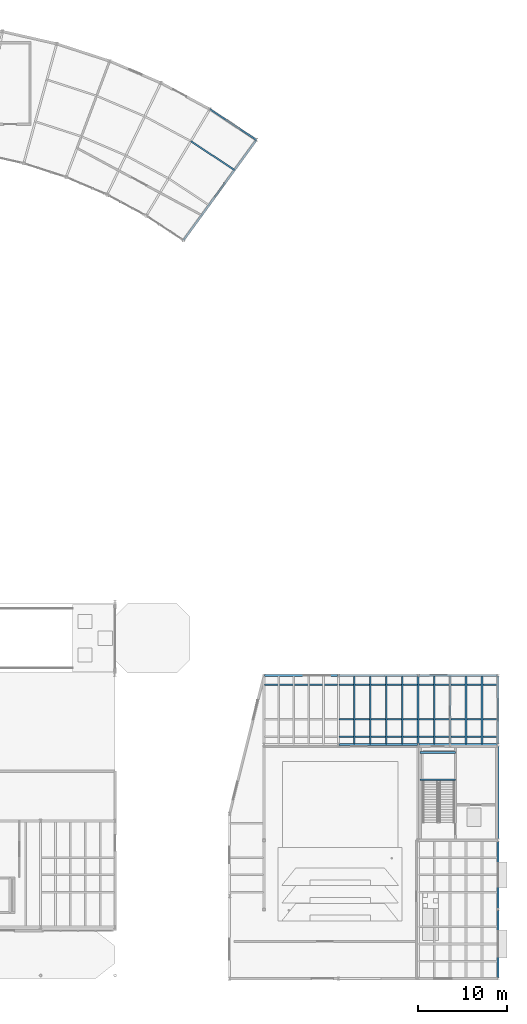
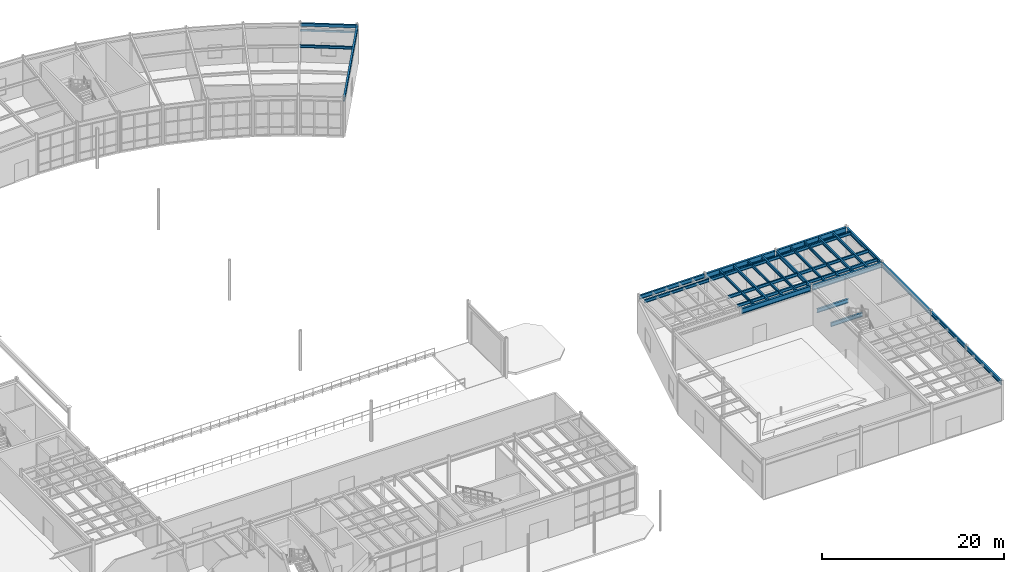
# One storey, part 53 of 87: 31 beams.
"""IFC4 building model written with IfcOpenShell, lengths in metres."""

from ifc_helpers import new_model, si_unit, direction, frame, origin, origin_2d, place, context, subcontext, project, spatial, hollow_rectangle, i_section, extrude, material, material_profile, profile_set, type_object, element, save


model = new_model("IFC4")

# Units and contexts
model_context = context("Model", 3, precision=1e-05, world=origin(), true_north=direction((0.0, 1.0)))
body_context = subcontext(model_context, "Body", "Model", "MODEL_VIEW")
ifc_project = project(units=[si_unit("LENGTHUNIT", "METRE"), si_unit("AREAUNIT", "SQUARE_METRE"), si_unit("VOLUMEUNIT", "CUBIC_METRE"), si_unit("PLANEANGLEUNIT", "RADIAN"), si_unit("MASSUNIT", "GRAM", prefix="KILO")], contexts=[model_context])

# Site, building, storey
site_placement = place(None, origin())
site = spatial("IfcSite", under=ifc_project, at=site_placement, CompositionType="ELEMENT")
building_placement = place(site_placement, origin())
building = spatial("IfcBuilding", under=site, at=building_placement, Name="Selat Folded Stagehouse", CompositionType="ELEMENT")
storey_placement = place(building_placement, origin())
storey = spatial("IfcBuildingStorey", under=building, at=storey_placement, Name="L00", CompositionType="ELEMENT", Elevation=0.0)

# Beams
ifc_material = material(Name="Steel S355", Category="steel")
ifc_material_profile_1 = material_profile(ifc_material, i_section(OverallWidth=0.210693359375, OverallDepth=0.53955078125, WebThickness=0.01171875, FlangeThickness=0.018798828125, FilletRadius=0.0126953125, at=origin_2d()), Name="UKB 533x210x109")
ifc_profile_set_1 = profile_set([ifc_material_profile_1], Name="Steel S355")
beam_type_1 = type_object("IfcBeamType", Name="BM-GIRD-533x210x109", PredefinedType="BEAM", material=ifc_profile_set_1)
beam_1_placement = place(storey_placement, frame((151.800048828125, 26.47998046875, 4.91015625), z_axis=(0.0, 1.0, 0.0), x_axis=(-1.0, 0.0, 0.0)))
element("IfcBeam", 1, at=beam_1_placement, inside=storey, type_object=beam_type_1, Name="L00 primary y-girder 0593", PredefinedType="BEAM", context=body_context, shape_type="SweptSolid", body=[
    extrude(i_section(OverallWidth=0.210693359375, OverallDepth=0.53955078125, WebThickness=0.01171875, FlangeThickness=0.018798828125, FilletRadius=0.0126953125, at=origin_2d()), origin(), (0.0, 0.0, 1.0), 7.64013671875),
])
beam_2_placement = place(storey_placement, frame((160.800048828125, 0.080078125, 4.91015625), z_axis=(0.0, 1.0, 0.0), x_axis=(-1.0, 0.0, 0.0)))
element("IfcBeam", 2, at=beam_2_placement, inside=storey, type_object=beam_type_1, Name="L00 primary y-girder 0594", PredefinedType="BEAM", context=body_context, shape_type="SweptSolid", body=[
    extrude(i_section(OverallWidth=0.210693359375, OverallDepth=0.53955078125, WebThickness=0.01171875, FlangeThickness=0.018798828125, FilletRadius=0.0126953125, at=origin_2d()), origin(), (0.0, 0.0, 1.0), 7.639892578125),
])
for number, where, z_axis, x_axis, name in (
    (3, (160.800048828125, 7.8798828125, 4.91015625), (0.0, 1.0, 0.0), (-1.0, 0.0, 0.0), "L00 primary y-girder 0595"),
    (4, (160.800048828125, 26.47998046875, 4.91015625), (0.0, 1.0, 0.0), (-1.0, 0.0, 0.0), "L00 primary y-girder 0597"),
):
    element("IfcBeam", number, at=place(storey_placement, frame(where, z_axis=z_axis, x_axis=x_axis)), inside=storey, type_object=beam_type_1, Name=name, PredefinedType="BEAM", context=body_context, shape_type="SweptSolid", body=[
        extrude(i_section(OverallWidth=0.210693359375, OverallDepth=0.53955078125, WebThickness=0.01171875, FlangeThickness=0.018798828125, FilletRadius=0.0126953125, at=origin_2d()), origin(), (0.0, 0.0, 1.0), 7.64013671875),
    ])
ifc_material_profile_2 = material_profile(ifc_material, i_section(OverallWidth=0.209228515625, OverallDepth=0.533203125, WebThickness=0.010009765625, FlangeThickness=0.015625, FilletRadius=0.0126953125, at=origin_2d()), Name="UKB 533x210x92")
ifc_profile_set_2 = profile_set([ifc_material_profile_2], Name="Steel S355")
beam_type_2 = type_object("IfcBeamType", Name="BM-GIRD-533x210x92", PredefinedType="BEAM", material=ifc_profile_set_2)
beam_3_placement = place(storey_placement, frame((134.47998046875, 34.199951171875, 4.91357421875), z_axis=(1.0, 0.0, 0.0), x_axis=(0.0, 1.0, 0.0)))
element("IfcBeam", 5, at=beam_3_placement, inside=storey, type_object=beam_type_2, Name="L00 primary x-girder 0529", PredefinedType="BEAM", context=body_context, shape_type="SweptSolid", body=[
    extrude(i_section(OverallWidth=0.209228515625, OverallDepth=0.533203125, WebThickness=0.010009765625, FlangeThickness=0.015625, FilletRadius=0.0126953125, at=origin_2d()), origin(), (0.0, 0.0, 1.0), 8.239990234375),
])
beam_4_placement = place(storey_placement, frame((125.31591796875, 83.304931640625, 4.91357421875), z_axis=(0.587787980643, 0.809015012105, 0.0), x_axis=(-0.809015012105, 0.587787980643, 0.0)))
element("IfcBeam", 6, at=beam_4_placement, inside=storey, type_object=beam_type_2, Name="L00 curved rehearsal radial girder 15", PredefinedType="BEAM", context=body_context, shape_type="SweptSolid", body=[
    extrude(i_section(OverallWidth=0.209228515625, OverallDepth=0.533203125, WebThickness=0.010009765625, FlangeThickness=0.015625, FilletRadius=0.0126953125, at=origin_2d()), origin(), (0.0, 0.0, 1.0), 14.0),
])
for number, where, z_axis, x_axis, name in (
    (7, (152.0, 22.43994140625, 2.2333984375), (1.0, 0.0, 0.0), (0.0, 1.0, 0.0), "L00 ST-04 landing support beam 1"),
    (8, (152.0, 25.5, 2.2333984375), (1.0, 0.0, 0.0), (0.0, 1.0, 0.0), "L00 ST-04 landing support beam 2"),
):
    element("IfcBeam", number, at=place(storey_placement, frame(where, z_axis=z_axis, x_axis=x_axis)), inside=storey, type_object=beam_type_2, Name=name, PredefinedType="BEAM", context=body_context, shape_type="SweptSolid", body=[
        extrude(i_section(OverallWidth=0.209228515625, OverallDepth=0.533203125, WebThickness=0.010009765625, FlangeThickness=0.015625, FilletRadius=0.0126953125, at=origin_2d()), origin(), (0.0, 0.0, 1.0), 4.02001953125),
    ])
ifc_material_profile_3 = material_profile(ifc_material, i_section(OverallWidth=0.230224609375, OverallDepth=0.6171875, WebThickness=0.01318359375, FlangeThickness=0.022216796875, FilletRadius=0.0126953125, at=origin_2d()), Name="UKB 610x229x140")
ifc_profile_set_3 = profile_set([ifc_material_profile_3], Name="Steel S355")
beam_type_3 = type_object("IfcBeamType", Name="BM-GIRD-610x229x140", PredefinedType="BEAM", material=ifc_profile_set_3)
beam_5_placement = place(storey_placement, frame((160.800048828125, 15.679931640625, 4.871337890625), z_axis=(0.0, 1.0, 0.0), x_axis=(-1.0, 0.0, 0.0)))
element("IfcBeam", 9, at=beam_5_placement, inside=storey, type_object=beam_type_3, Name="L00 primary y-girder 0596", PredefinedType="BEAM", context=body_context, shape_type="SweptSolid", body=[
    extrude(i_section(OverallWidth=0.230224609375, OverallDepth=0.6171875, WebThickness=0.01318359375, FlangeThickness=0.022216796875, FilletRadius=0.0126953125, at=origin_2d()), origin(), (0.0, 0.0, 1.0), 10.64013671875),
])
ifc_material_profile_4 = material_profile(ifc_material, i_section(OverallWidth=0.253662109375, OverallDepth=0.68359375, WebThickness=0.012451171875, FlangeThickness=0.01904296875, FilletRadius=0.01513671875, at=origin_2d()), Name="UKB 686x254x140")
ifc_profile_set_4 = profile_set([ifc_material_profile_4], Name="Steel S355")
beam_type_4 = type_object("IfcBeamType", Name="BM-GIRD-686x254x140", PredefinedType="BEAM", material=ifc_profile_set_4)
for number, where, z_axis, x_axis, name in (
    (10, (142.8798828125, 26.39990234375, 4.838134765625), (1.0, 0.0, 0.0), (0.0, 1.0, 0.0), "L00 primary x-girder 0527"),
    (11, (151.8798828125, 26.39990234375, 4.838134765625), (1.0, 0.0, 0.0), (0.0, 1.0, 0.0), "L00 primary x-girder 0528"),
    (12, (142.8798828125, 34.199951171875, 4.838134765625), (1.0, 0.0, 0.0), (0.0, 1.0, 0.0), "L00 primary x-girder 0530"),
    (13, (151.8798828125, 34.199951171875, 4.838134765625), (1.0, 0.0, 0.0), (0.0, 1.0, 0.0), "L00 primary x-girder 0531"),
):
    element("IfcBeam", number, at=place(storey_placement, frame(where, z_axis=z_axis, x_axis=x_axis)), inside=storey, type_object=beam_type_4, Name=name, PredefinedType="BEAM", context=body_context, shape_type="SweptSolid", body=[
        extrude(i_section(OverallWidth=0.253662109375, OverallDepth=0.68359375, WebThickness=0.012451171875, FlangeThickness=0.01904296875, FilletRadius=0.01513671875, at=origin_2d()), origin(), (0.0, 0.0, 1.0), 8.840087890625),
    ])
ifc_material_profile_5 = material_profile(ifc_material, i_section(OverallWidth=0.17138671875, OverallDepth=0.35498046875, WebThickness=0.00732421875, FlangeThickness=0.011474609375, FilletRadius=0.01025390625, at=origin_2d()), Name="UKB 356x171x51")
ifc_profile_set_5 = profile_set([ifc_material_profile_5], Name="Steel S355")
beam_type_5 = type_object("IfcBeamType", Name="JST-356x171x51", PredefinedType="JOIST", material=ifc_profile_set_5)
for number, where, z_axis, x_axis, name in (
    (14, (144.60009765625, 26.48876953125, 5.00244140625), (0.0, 1.0, 0.0), (-1.0, 0.0, 0.0), "L00 secondary floor joist 0687"),
    (15, (148.199951171875, 26.48876953125, 5.00244140625), (0.0, 1.0, 0.0), (-1.0, 0.0, 0.0), "L00 secondary floor joist 0689"),
    (16, (153.60009765625, 26.48876953125, 5.00244140625), (0.0, 1.0, 0.0), (-1.0, 0.0, 0.0), "L00 secondary floor joist 0692"),
    (17, (155.39990234375, 26.48876953125, 5.00244140625), (0.0, 1.0, 0.0), (-1.0, 0.0, 0.0), "L00 secondary floor joist 0694"),
):
    element("IfcBeam", number, at=place(storey_placement, frame(where, z_axis=z_axis, x_axis=x_axis)), inside=storey, type_object=beam_type_5, Name=name, PredefinedType="JOIST", context=body_context, shape_type="SweptSolid", body=[
        extrude(i_section(OverallWidth=0.17138671875, OverallDepth=0.35498046875, WebThickness=0.00732421875, FlangeThickness=0.011474609375, FilletRadius=0.01025390625, at=origin_2d()), origin(), (0.0, 0.0, 1.0), 7.622314453125),
    ])
beam_6_placement = place(storey_placement, frame((126.148681640625, 94.48583984375, 5.00244140625), z_axis=(0.834598760834, -0.550858337883, 0.0), x_axis=(0.550858337883, 0.834598760834, 0.0)))
element("IfcBeam", 18, at=beam_6_placement, inside=storey, type_object=beam_type_5, Name="L00 curved rehearsal secondary joist 14.2", PredefinedType="JOIST", context=body_context, shape_type="SweptSolid", body=[
    extrude(i_section(OverallWidth=0.17138671875, OverallDepth=0.35498046875, WebThickness=0.00732421875, FlangeThickness=0.011474609375, FilletRadius=0.01025390625, at=origin_2d()), origin(), (0.0, 0.0, 1.0), 5.904296875),
])
ifc_material_profile_6 = material_profile(ifc_material, i_section(OverallWidth=0.177978515625, OverallDepth=0.406494140625, WebThickness=0.0078125, FlangeThickness=0.0126953125, FilletRadius=0.01025390625, at=origin_2d()), Name="UKB 406x178x60")
ifc_profile_set_6 = profile_set([ifc_material_profile_6], Name="Steel S355")
beam_type_6 = type_object("IfcBeamType", Name="JST-406x178x60", PredefinedType="JOIST", material=ifc_profile_set_6)
for number, where, z_axis, x_axis, name in (
    (19, (146.39990234375, 26.48876953125, 4.976806640625), (0.0, 1.0, 0.0), (-1.0, 0.0, 0.0), "L00 secondary floor joist 0688"),
    (20, (150.0, 26.48876953125, 4.976806640625), (0.0, 1.0, 0.0), (-1.0, 0.0, 0.0), "L00 secondary floor joist 0690"),
    (21, (159.0, 26.48876953125, 4.976806640625), (0.0, 1.0, 0.0), (-1.0, 0.0, 0.0), "L00 secondary floor joist 0698"),
):
    element("IfcBeam", number, at=place(storey_placement, frame(where, z_axis=z_axis, x_axis=x_axis)), inside=storey, type_object=beam_type_6, Name=name, PredefinedType="JOIST", context=body_context, shape_type="SweptSolid", body=[
        extrude(i_section(OverallWidth=0.177978515625, OverallDepth=0.406494140625, WebThickness=0.0078125, FlangeThickness=0.0126953125, FilletRadius=0.01025390625, at=origin_2d()), origin(), (0.0, 0.0, 1.0), 7.622314453125),
    ])
for number, where, z_axis, x_axis, name in (
    (22, (142.873779296875, 27.300048828125, 4.976806640625), (1.0, 0.0, 0.0), (0.0, 1.0, 0.0), "L00 secondary x-joist 0727"),
    (23, (151.873779296875, 27.300048828125, 4.976806640625), (1.0, 0.0, 0.0), (0.0, 1.0, 0.0), "L00 secondary x-joist 0728"),
    (24, (142.873779296875, 29.25, 4.976806640625), (1.0, 0.0, 0.0), (0.0, 1.0, 0.0), "L00 secondary x-joist 0731"),
    (25, (151.873779296875, 29.25, 4.976806640625), (1.0, 0.0, 0.0), (0.0, 1.0, 0.0), "L00 secondary x-joist 0732"),
):
    element("IfcBeam", number, at=place(storey_placement, frame(where, z_axis=z_axis, x_axis=x_axis)), inside=storey, type_object=beam_type_6, Name=name, PredefinedType="JOIST", context=body_context, shape_type="SweptSolid", body=[
        extrude(i_section(OverallWidth=0.177978515625, OverallDepth=0.406494140625, WebThickness=0.0078125, FlangeThickness=0.0126953125, FilletRadius=0.01025390625, at=origin_2d()), origin(), (0.0, 0.0, 1.0), 8.8525390625),
    ])
beam_7_placement = place(storey_placement, frame((134.473876953125, 33.14990234375, 4.976806640625), z_axis=(1.0, 0.0, 0.0), x_axis=(0.0, 1.0, 0.0)))
element("IfcBeam", 26, at=beam_7_placement, inside=storey, type_object=beam_type_6, Name="L00 secondary x-joist 0734", PredefinedType="JOIST", context=body_context, shape_type="SweptSolid", body=[
    extrude(i_section(OverallWidth=0.177978515625, OverallDepth=0.406494140625, WebThickness=0.0078125, FlangeThickness=0.0126953125, FilletRadius=0.01025390625, at=origin_2d()), origin(), (0.0, 0.0, 1.0), 8.25244140625),
])
for number, where, z_axis, x_axis, name in (
    (27, (142.873779296875, 33.14990234375, 4.976806640625), (1.0, 0.0, 0.0), (0.0, 1.0, 0.0), "L00 secondary x-joist 0735"),
    (28, (151.873779296875, 33.14990234375, 4.976806640625), (1.0, 0.0, 0.0), (0.0, 1.0, 0.0), "L00 secondary x-joist 0736"),
):
    element("IfcBeam", number, at=place(storey_placement, frame(where, z_axis=z_axis, x_axis=x_axis)), inside=storey, type_object=beam_type_6, Name=name, PredefinedType="JOIST", context=body_context, shape_type="SweptSolid", body=[
        extrude(i_section(OverallWidth=0.177978515625, OverallDepth=0.406494140625, WebThickness=0.0078125, FlangeThickness=0.0126953125, FilletRadius=0.01025390625, at=origin_2d()), origin(), (0.0, 0.0, 1.0), 8.8525390625),
    ])
ifc_material_profile_7 = material_profile(ifc_material, i_section(OverallWidth=0.18994140625, OverallDepth=0.453369140625, WebThickness=0.008544921875, FlangeThickness=0.0126953125, FilletRadius=0.01025390625, at=origin_2d()), Name="UKB 457x191x67")
ifc_profile_set_7 = profile_set([ifc_material_profile_7], Name="Steel S355")
beam_type_7 = type_object("IfcBeamType", Name="JST-457x191x67", PredefinedType="JOIST", material=ifc_profile_set_7)
beam_8_placement = place(storey_placement, frame((157.199951171875, 26.48876953125, 4.953369140625), z_axis=(0.0, 1.0, 0.0), x_axis=(-1.0, 0.0, 0.0)))
element("IfcBeam", 29, at=beam_8_placement, inside=storey, type_object=beam_type_7, Name="L00 secondary floor joist 0696", PredefinedType="JOIST", context=body_context, shape_type="SweptSolid", body=[
    extrude(i_section(OverallWidth=0.18994140625, OverallDepth=0.453369140625, WebThickness=0.008544921875, FlangeThickness=0.0126953125, FilletRadius=0.01025390625, at=origin_2d()), origin(), (0.0, 0.0, 1.0), 7.622314453125),
])
ifc_material_profile_8 = material_profile(ifc_material, hollow_rectangle(XDim=0.14990234375, YDim=0.25, WallThickness=0.010009765625, at=origin_2d()), Name="RHS 250x150x10.0")
ifc_profile_set_8 = profile_set([ifc_material_profile_8], Name="Steel S355")
beam_type_8 = type_object("IfcBeamType", Name="LNT-RHS-250x150", PredefinedType="LINTEL", material=ifc_profile_set_8)
beam_9_placement = place(storey_placement, frame((128.302978515625, 98.09130859375, 4.199951171875), z_axis=(0.834571163011, -0.550900148729, 0.0), x_axis=(0.550900148729, 0.834571163011, 0.0)))
element("IfcBeam", 30, at=beam_9_placement, inside=storey, type_object=beam_type_8, Name="L00 structural lintel beam 04", PredefinedType="LINTEL", context=body_context, shape_type="SweptSolid", body=[
    extrude(hollow_rectangle(XDim=0.14990234375, YDim=0.25, WallThickness=0.010009765625, at=origin_2d()), origin(), (0.0, 0.0, 1.0), 6.281005859375),
])
ifc_material_profile_9 = material_profile(ifc_material, hollow_rectangle(XDim=0.199951171875, YDim=0.39990234375, WallThickness=0.012451171875, at=origin_2d()), Name="RHS 400x200x12.5")
ifc_profile_set_9 = profile_set([ifc_material_profile_9], Name="Steel S355")
beam_type_9 = type_object("IfcBeamType", Name="SPD-EXT-400x200", PredefinedType="SPANDREL", material=ifc_profile_set_9)
beam_10_placement = place(storey_placement, frame((128.302978515625, 98.09130859375, 4.97998046875), z_axis=(0.834571163011, -0.550900148729, 0.0), x_axis=(0.550900148729, 0.834571163011, 0.0)))
element("IfcBeam", 31, at=beam_10_placement, inside=storey, type_object=beam_type_9, Name="L00 outer curved rehearsal spandrel 14", PredefinedType="SPANDREL", context=body_context, shape_type="SweptSolid", body=[
    extrude(hollow_rectangle(XDim=0.199951171875, YDim=0.39990234375, WallThickness=0.012451171875, at=origin_2d()), origin(), (0.0, 0.0, 1.0), 6.281005859375),
])

save(model, "model.ifc")
